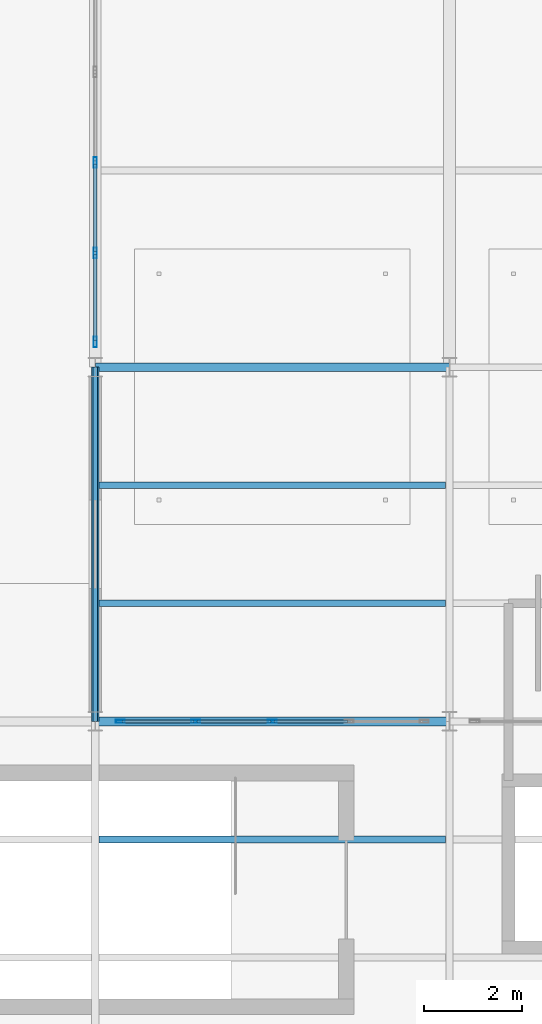
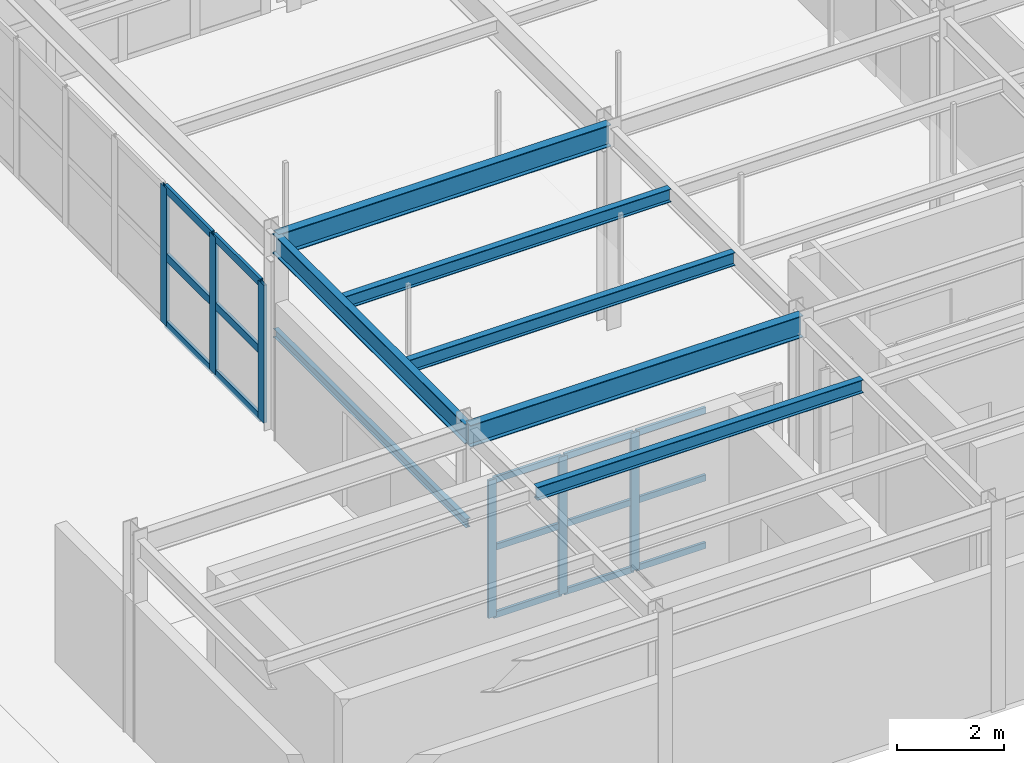
# One storey, part 12 of 41: 21 members, 7 beams, 2 elements without a shape of their own.
"""IFC4 building model written with IfcOpenShell, lengths in metres."""

from ifc_helpers import new_model, si_unit, direction, frame, origin, origin_2d, place, context, subcontext, project, spatial, hollow_rectangle, i_section, extrude, material, layer, layer_set, material_profile, profile_set, type_object, element, aggregate, save


model = new_model("IFC4")

# Units and contexts
model_context = context("Model", 3, precision=1e-05, world=origin(), true_north=direction((0.0, 1.0)))
body_context = subcontext(model_context, "Body", "Model", "MODEL_VIEW")
ifc_project = project(units=[si_unit("LENGTHUNIT", "METRE"), si_unit("AREAUNIT", "SQUARE_METRE"), si_unit("VOLUMEUNIT", "CUBIC_METRE"), si_unit("PLANEANGLEUNIT", "RADIAN"), si_unit("MASSUNIT", "GRAM", prefix="KILO")], contexts=[model_context])

# Site, building, storey
site_placement = place(None, origin())
site = spatial("IfcSite", under=ifc_project, at=site_placement, CompositionType="ELEMENT")
building_placement = place(site_placement, origin())
building = spatial("IfcBuilding", under=site, at=building_placement, Name="Solvadek Multi-Sports Hall", CompositionType="ELEMENT")
storey_placement = place(building_placement, frame((0.0, 0.0, 14.39990234375)))
storey = spatial("IfcBuildingStorey", under=building, at=storey_placement, Name="L03", CompositionType="ELEMENT", Elevation=14.39990234375)

# Curtain wall, members
ifc_material_1 = material(Name="Anodised aluminium", Category="aluminium")
ifc_layer_1 = layer(ifc_material_1, 0.159912109375, Name="Anodised aluminium")
ifc_layer_set_1 = layer_set([ifc_layer_1], Name="Anodised aluminium")
curtain_wall_type_1 = type_object("IfcCurtainWallType", Name="ENV-CW-624X315", PredefinedType="USERDEFINED", material=ifc_layer_set_1)
curtain_wall_1_placement = place(storey_placement, origin())
curtain_wall_1 = element("IfcCurtainWall", 1, at=curtain_wall_1_placement, inside=storey, type_object=curtain_wall_type_1, Name="L03 Perimeter Bay Curtain Wall #203", ObjectType="CURTAIN WALL", PredefinedType="USERDEFINED")
ifc_material_profile_1 = material_profile(ifc_material_1, hollow_rectangle(XDim=0.06005859375, YDim=0.179931640625, WallThickness=0.00390625, at=origin_2d()), Name="ALU-M 180x60x4")
ifc_profile_set_1 = profile_set([ifc_material_profile_1], Name="Anodised aluminium")
member_type_1 = type_object("IfcMemberType", Name="ENV-CWM-02", PredefinedType="MULLION", material=ifc_profile_set_1)
member_1_placement = place(storey_placement, frame((14.909912109375, 85.199951171875, 0.0), z_axis=(0.0, 0.0, 1.0), x_axis=(0.0, 1.0, 0.0)))
member_1 = element("IfcMember", 2, at=member_1_placement, type_object=member_type_1, Name="CW-44 mullion 1", PredefinedType="MULLION", context=body_context, shape_type="SweptSolid", body=[
    extrude(hollow_rectangle(XDim=0.06005859375, YDim=0.179931640625, WallThickness=0.00390625, at=origin_2d()), origin(), (0.0, 0.0, 1.0), 3.150146484375),
])
member_2_placement = place(storey_placement, frame((16.43994140625, 85.199951171875, 0.0), z_axis=(0.0, 0.0, 1.0), x_axis=(0.0, 1.0, 0.0)))
member_2 = element("IfcMember", 3, at=member_2_placement, type_object=member_type_1, Name="CW-44 mullion 2", PredefinedType="MULLION", context=body_context, shape_type="SweptSolid", body=[
    extrude(hollow_rectangle(XDim=0.06005859375, YDim=0.179931640625, WallThickness=0.00390625, at=origin_2d()), origin(), (0.0, 0.0, 1.0), 3.150146484375),
])
member_3_placement = place(storey_placement, frame((18.0, 85.199951171875, 0.0), z_axis=(0.0, 0.0, 1.0), x_axis=(0.0, 1.0, 0.0)))
member_3 = element("IfcMember", 4, at=member_3_placement, type_object=member_type_1, Name="CW-44 mullion 3", PredefinedType="MULLION", context=body_context, shape_type="SweptSolid", body=[
    extrude(hollow_rectangle(XDim=0.06005859375, YDim=0.179931640625, WallThickness=0.00390625, at=origin_2d()), origin(), (0.0, 0.0, 1.0), 3.150146484375),
])

ifc_layer_2 = layer(ifc_material_1, 0.159912109375, Name="Anodised aluminium")
ifc_layer_set_2 = layer_set([ifc_layer_2], Name="Anodised aluminium")
curtain_wall_type_2 = type_object("IfcCurtainWallType", Name="ENV-CW-1104X315", PredefinedType="USERDEFINED", material=ifc_layer_set_2)
curtain_wall_2_placement = place(storey_placement, origin())
curtain_wall_2 = element("IfcCurtainWall", 5, at=curtain_wall_2_placement, inside=storey, type_object=curtain_wall_type_2, Name="L03 Perimeter Bay Curtain Wall #209", ObjectType="CURTAIN WALL", PredefinedType="USERDEFINED")
ifc_material_profile_2 = material_profile(ifc_material_1, hollow_rectangle(XDim=0.06494140625, YDim=0.219970703125, WallThickness=0.0048828125, at=origin_2d()), Name="ALU-M 220x65x5")
ifc_profile_set_2 = profile_set([ifc_material_profile_2], Name="Anodised aluminium")
member_type_2 = type_object("IfcMemberType", Name="ENV-CWM-04", PredefinedType="MULLION", material=ifc_profile_set_2)
member_4_placement = place(storey_placement, frame((14.39990234375, 92.91259765625, 0.0), z_axis=(0.0, 0.0, 1.0), x_axis=(-1.0, 0.0, 0.0)))
member_4 = element("IfcMember", 6, at=member_4_placement, type_object=member_type_2, Name="CW-58 mullion 1", PredefinedType="MULLION", context=body_context, shape_type="SweptSolid", body=[
    extrude(hollow_rectangle(XDim=0.06494140625, YDim=0.219970703125, WallThickness=0.0048828125, at=origin_2d()), origin(), (0.0, 0.0, 1.0), 3.150146484375),
])
member_5_placement = place(storey_placement, frame((14.39990234375, 94.719970703125, 0.0), z_axis=(0.0, 0.0, 1.0), x_axis=(-1.0, 0.0, 0.0)))
member_5 = element("IfcMember", 7, at=member_5_placement, type_object=member_type_2, Name="CW-58 mullion 2", PredefinedType="MULLION", context=body_context, shape_type="SweptSolid", body=[
    extrude(hollow_rectangle(XDim=0.06494140625, YDim=0.219970703125, WallThickness=0.0048828125, at=origin_2d()), origin(), (0.0, 0.0, 1.0), 3.150146484375),
])
member_6_placement = place(storey_placement, frame((14.39990234375, 96.56005859375, 0.0), z_axis=(0.0, 0.0, 1.0), x_axis=(-1.0, 0.0, 0.0)))
member_6 = element("IfcMember", 8, at=member_6_placement, type_object=member_type_2, Name="CW-58 mullion 3", PredefinedType="MULLION", context=body_context, shape_type="SweptSolid", body=[
    extrude(hollow_rectangle(XDim=0.06494140625, YDim=0.219970703125, WallThickness=0.0048828125, at=origin_2d()), origin(), (0.0, 0.0, 1.0), 3.150146484375),
])

# Member
ifc_material_profile_3 = material_profile(ifc_material_1, hollow_rectangle(XDim=0.06005859375, YDim=0.139892578125, WallThickness=0.00390625, at=origin_2d()), Name="ALU-T 140x60x4")
ifc_profile_set_3 = profile_set([ifc_material_profile_3], Name="Anodised aluminium")
member_type_3 = type_object("IfcMemberType", Name="ENV-CWT-02", PredefinedType="USERDEFINED", material=ifc_profile_set_3)
member_7_placement = place(storey_placement, frame((14.93994140625, 85.199951171875, 0.030029296875), z_axis=(1.0, 0.0, 0.0), x_axis=(0.0, 1.0, 0.0)))
member_7 = element("IfcMember", 9, at=member_7_placement, type_object=member_type_3, Name="CW-44 transom 1.1", ObjectType="TRANSOM", PredefinedType="USERDEFINED", context=body_context, shape_type="SweptSolid", body=[
    extrude(hollow_rectangle(XDim=0.06005859375, YDim=0.139892578125, WallThickness=0.00390625, at=origin_2d()), origin(), (0.0, 0.0, 1.0), 1.469970703125),
])

member_8_placement = place(storey_placement, frame((14.93994140625, 85.199951171875, 1.5751953125), z_axis=(1.0, 0.0, 0.0), x_axis=(0.0, 1.0, 0.0)))
member_8 = element("IfcMember", 10, at=member_8_placement, type_object=member_type_3, Name="CW-44 transom 1.2", ObjectType="TRANSOM", PredefinedType="USERDEFINED", context=body_context, shape_type="SweptSolid", body=[
    extrude(hollow_rectangle(XDim=0.06005859375, YDim=0.139892578125, WallThickness=0.00390625, at=origin_2d()), origin(), (0.0, 0.0, 1.0), 1.469970703125),
])

member_9_placement = place(storey_placement, frame((14.93994140625, 85.199951171875, 3.1201171875), z_axis=(1.0, 0.0, 0.0), x_axis=(0.0, 1.0, 0.0)))
member_9 = element("IfcMember", 11, at=member_9_placement, type_object=member_type_3, Name="CW-44 transom 1.3", ObjectType="TRANSOM", PredefinedType="USERDEFINED", context=body_context, shape_type="SweptSolid", body=[
    extrude(hollow_rectangle(XDim=0.06005859375, YDim=0.139892578125, WallThickness=0.00390625, at=origin_2d()), origin(), (0.0, 0.0, 1.0), 1.469970703125),
])

member_10_placement = place(storey_placement, frame((16.469970703125, 85.199951171875, 0.030029296875), z_axis=(1.0, 0.0, 0.0), x_axis=(0.0, 1.0, 0.0)))
member_10 = element("IfcMember", 12, at=member_10_placement, type_object=member_type_3, Name="CW-44 transom 2.1", ObjectType="TRANSOM", PredefinedType="USERDEFINED", context=body_context, shape_type="SweptSolid", body=[
    extrude(hollow_rectangle(XDim=0.06005859375, YDim=0.139892578125, WallThickness=0.00390625, at=origin_2d()), origin(), (0.0, 0.0, 1.0), 1.5),
])

member_11_placement = place(storey_placement, frame((16.469970703125, 85.199951171875, 1.5751953125), z_axis=(1.0, 0.0, 0.0), x_axis=(0.0, 1.0, 0.0)))
member_11 = element("IfcMember", 13, at=member_11_placement, type_object=member_type_3, Name="CW-44 transom 2.2", ObjectType="TRANSOM", PredefinedType="USERDEFINED", context=body_context, shape_type="SweptSolid", body=[
    extrude(hollow_rectangle(XDim=0.06005859375, YDim=0.139892578125, WallThickness=0.00390625, at=origin_2d()), origin(), (0.0, 0.0, 1.0), 1.5),
])

member_12_placement = place(storey_placement, frame((16.469970703125, 85.199951171875, 3.1201171875), z_axis=(1.0, 0.0, 0.0), x_axis=(0.0, 1.0, 0.0)))
member_12 = element("IfcMember", 14, at=member_12_placement, type_object=member_type_3, Name="CW-44 transom 2.3", ObjectType="TRANSOM", PredefinedType="USERDEFINED", context=body_context, shape_type="SweptSolid", body=[
    extrude(hollow_rectangle(XDim=0.06005859375, YDim=0.139892578125, WallThickness=0.00390625, at=origin_2d()), origin(), (0.0, 0.0, 1.0), 1.5),
])

member_13_placement = place(storey_placement, frame((18.030029296875, 85.199951171875, 0.030029296875), z_axis=(1.0, 0.0, 0.0), x_axis=(0.0, 1.0, 0.0)))
member_13 = element("IfcMember", 15, at=member_13_placement, type_object=member_type_3, Name="CW-44 transom 3.1", ObjectType="TRANSOM", PredefinedType="USERDEFINED", context=body_context, shape_type="SweptSolid", body=[
    extrude(hollow_rectangle(XDim=0.06005859375, YDim=0.139892578125, WallThickness=0.00390625, at=origin_2d()), origin(), (0.0, 0.0, 1.0), 1.5),
])

member_14_placement = place(storey_placement, frame((18.030029296875, 85.199951171875, 1.5751953125), z_axis=(1.0, 0.0, 0.0), x_axis=(0.0, 1.0, 0.0)))
member_14 = element("IfcMember", 16, at=member_14_placement, type_object=member_type_3, Name="CW-44 transom 3.2", ObjectType="TRANSOM", PredefinedType="USERDEFINED", context=body_context, shape_type="SweptSolid", body=[
    extrude(hollow_rectangle(XDim=0.06005859375, YDim=0.139892578125, WallThickness=0.00390625, at=origin_2d()), origin(), (0.0, 0.0, 1.0), 1.5),
])

member_15_placement = place(storey_placement, frame((18.030029296875, 85.199951171875, 3.1201171875), z_axis=(1.0, 0.0, 0.0), x_axis=(0.0, 1.0, 0.0)))
member_15 = element("IfcMember", 17, at=member_15_placement, type_object=member_type_3, Name="CW-44 transom 3.3", ObjectType="TRANSOM", PredefinedType="USERDEFINED", context=body_context, shape_type="SweptSolid", body=[
    extrude(hollow_rectangle(XDim=0.06005859375, YDim=0.139892578125, WallThickness=0.00390625, at=origin_2d()), origin(), (0.0, 0.0, 1.0), 1.5),
])

aggregate(curtain_wall_1, [member_1, member_2, member_3, member_7, member_8, member_9, member_10, member_11, member_12, member_13, member_14, member_15])

ifc_material_profile_4 = material_profile(ifc_material_1, hollow_rectangle(XDim=0.06494140625, YDim=0.179931640625, WallThickness=0.0048828125, at=origin_2d()), Name="ALU-T 180x65x5")
ifc_profile_set_4 = profile_set([ifc_material_profile_4], Name="Anodised aluminium")
member_type_4 = type_object("IfcMemberType", Name="ENV-CWT-04", PredefinedType="USERDEFINED", material=ifc_profile_set_4)
member_16_placement = place(storey_placement, frame((14.39990234375, 92.945068359375, 0.03271484375), z_axis=(0.0, 1.0, 0.0), x_axis=(-1.0, 0.0, 0.0)))
member_16 = element("IfcMember", 18, at=member_16_placement, type_object=member_type_4, Name="CW-58 transom 1.1", ObjectType="TRANSOM", PredefinedType="USERDEFINED", context=body_context, shape_type="SweptSolid", body=[
    extrude(hollow_rectangle(XDim=0.06494140625, YDim=0.179931640625, WallThickness=0.0048828125, at=origin_2d()), origin(), (0.0, 0.0, 1.0), 1.742431640625),
])

member_17_placement = place(storey_placement, frame((14.39990234375, 92.945068359375, 1.5751953125), z_axis=(0.0, 1.0, 0.0), x_axis=(-1.0, 0.0, 0.0)))
member_17 = element("IfcMember", 19, at=member_17_placement, type_object=member_type_4, Name="CW-58 transom 1.2", ObjectType="TRANSOM", PredefinedType="USERDEFINED", context=body_context, shape_type="SweptSolid", body=[
    extrude(hollow_rectangle(XDim=0.06494140625, YDim=0.179931640625, WallThickness=0.0048828125, at=origin_2d()), origin(), (0.0, 0.0, 1.0), 1.742431640625),
])

member_18_placement = place(storey_placement, frame((14.39990234375, 92.945068359375, 3.11767578125), z_axis=(0.0, 1.0, 0.0), x_axis=(-1.0, 0.0, 0.0)))
member_18 = element("IfcMember", 20, at=member_18_placement, type_object=member_type_4, Name="CW-58 transom 1.3", ObjectType="TRANSOM", PredefinedType="USERDEFINED", context=body_context, shape_type="SweptSolid", body=[
    extrude(hollow_rectangle(XDim=0.06494140625, YDim=0.179931640625, WallThickness=0.0048828125, at=origin_2d()), origin(), (0.0, 0.0, 1.0), 1.742431640625),
])

member_19_placement = place(storey_placement, frame((14.39990234375, 94.75244140625, 0.03271484375), z_axis=(0.0, 1.0, 0.0), x_axis=(-1.0, 0.0, 0.0)))
member_19 = element("IfcMember", 21, at=member_19_placement, type_object=member_type_4, Name="CW-58 transom 2.1", ObjectType="TRANSOM", PredefinedType="USERDEFINED", context=body_context, shape_type="SweptSolid", body=[
    extrude(hollow_rectangle(XDim=0.06494140625, YDim=0.179931640625, WallThickness=0.0048828125, at=origin_2d()), origin(), (0.0, 0.0, 1.0), 1.775146484375),
])

member_20_placement = place(storey_placement, frame((14.39990234375, 94.75244140625, 1.5751953125), z_axis=(0.0, 1.0, 0.0), x_axis=(-1.0, 0.0, 0.0)))
member_20 = element("IfcMember", 22, at=member_20_placement, type_object=member_type_4, Name="CW-58 transom 2.2", ObjectType="TRANSOM", PredefinedType="USERDEFINED", context=body_context, shape_type="SweptSolid", body=[
    extrude(hollow_rectangle(XDim=0.06494140625, YDim=0.179931640625, WallThickness=0.0048828125, at=origin_2d()), origin(), (0.0, 0.0, 1.0), 1.775146484375),
])

member_21_placement = place(storey_placement, frame((14.39990234375, 94.75244140625, 3.11767578125), z_axis=(0.0, 1.0, 0.0), x_axis=(-1.0, 0.0, 0.0)))
member_21 = element("IfcMember", 23, at=member_21_placement, type_object=member_type_4, Name="CW-58 transom 2.3", ObjectType="TRANSOM", PredefinedType="USERDEFINED", context=body_context, shape_type="SweptSolid", body=[
    extrude(hollow_rectangle(XDim=0.06494140625, YDim=0.179931640625, WallThickness=0.0048828125, at=origin_2d()), origin(), (0.0, 0.0, 1.0), 1.775146484375),
])

aggregate(curtain_wall_2, [member_4, member_5, member_6, member_16, member_17, member_18, member_19, member_20, member_21])

# Beams
ifc_material_2 = material(Name="Steel E350 (350 MPa)", Category="steel")
ifc_material_profile_5 = material_profile(ifc_material_2, i_section(OverallWidth=0.14990234375, OverallDepth=0.449951171875, WebThickness=0.009521484375, FlangeThickness=0.017333984375, at=origin_2d()), Name="ISMB 450")
ifc_profile_set_5 = profile_set([ifc_material_profile_5], Name="Steel E350 (350 MPa)")
beam_type_1 = type_object("IfcBeamType", Name="STR-BM-ISMB450", PredefinedType="BEAM", material=ifc_profile_set_5)
beam_1_placement = place(storey_placement, frame((14.39990234375, 85.199951171875, 4.375), z_axis=(0.0, 1.0, 0.0), x_axis=(-1.0, 0.0, 0.0)))
element("IfcBeam", 24, at=beam_1_placement, inside=storey, type_object=beam_type_1, Name="L03 Girder B-09 #1656", PredefinedType="BEAM", context=body_context, shape_type="SweptSolid", body=[
    extrude(i_section(OverallWidth=0.14990234375, OverallDepth=0.449951171875, WebThickness=0.009521484375, FlangeThickness=0.017333984375, at=origin_2d()), origin(), (0.0, 0.0, 1.0), 7.199951171875),
])
ifc_material_profile_6 = material_profile(ifc_material_2, i_section(OverallWidth=0.179931640625, OverallDepth=0.5, WebThickness=0.01025390625, FlangeThickness=0.01708984375, at=origin_2d()), Name="ISMB 500")
ifc_profile_set_6 = profile_set([ifc_material_profile_6], Name="Steel E350 (350 MPa)")
beam_type_2 = type_object("IfcBeamType", Name="STR-BM-ISMB500", PredefinedType="BEAM", material=ifc_profile_set_6)
for number, where, z_axis, x_axis, name in (
    (25, (14.39990234375, 85.199951171875, 4.35009765625), (1.0, 0.0, 0.0), (0.0, 1.0, 0.0), "L03 Girder B-07 #1630"),
    (26, (14.39990234375, 92.39990234375, 4.35009765625), (1.0, 0.0, 0.0), (0.0, 1.0, 0.0), "L03 Girder B-07 #1636"),
):
    element("IfcBeam", number, at=place(storey_placement, frame(where, z_axis=z_axis, x_axis=x_axis)), inside=storey, type_object=beam_type_2, Name=name, PredefinedType="BEAM", context=body_context, shape_type="SweptSolid", body=[
        extrude(i_section(OverallWidth=0.179931640625, OverallDepth=0.5, WebThickness=0.01025390625, FlangeThickness=0.01708984375, at=origin_2d()), origin(), (0.0, 0.0, 1.0), 7.2001953125),
    ])
ifc_material_profile_7 = material_profile(ifc_material_2, i_section(OverallWidth=0.139892578125, OverallDepth=0.300048828125, WebThickness=0.0078125, FlangeThickness=0.01318359375, at=origin_2d()), Name="ISMB 300")
ifc_profile_set_7 = profile_set([ifc_material_profile_7], Name="Steel E350 (350 MPa)")
beam_type_3 = type_object("IfcBeamType", Name="STR-JST-ISMB300", PredefinedType="JOIST", material=ifc_profile_set_7)
for number, where, z_axis, x_axis, name in (
    (27, (14.47509765625, 82.800048828125, 4.4501953125), (1.0, 0.0, 0.0), (0.0, 1.0, 0.0), "L03 Composite Joist J-03 #919"),
    (28, (14.47509765625, 87.60009765625, 4.4501953125), (1.0, 0.0, 0.0), (0.0, 1.0, 0.0), "L03 Composite Joist J-03 #922"),
    (29, (14.47509765625, 90.0, 4.4501953125), (1.0, 0.0, 0.0), (0.0, 1.0, 0.0), "L03 Composite Joist J-03 #923"),
):
    element("IfcBeam", number, at=place(storey_placement, frame(where, z_axis=z_axis, x_axis=x_axis)), inside=storey, type_object=beam_type_3, Name=name, PredefinedType="JOIST", context=body_context, shape_type="SweptSolid", body=[
        extrude(i_section(OverallWidth=0.139892578125, OverallDepth=0.300048828125, WebThickness=0.0078125, FlangeThickness=0.01318359375, at=origin_2d()), origin(), (0.0, 0.0, 1.0), 7.0498046875),
    ])
ifc_material_3 = material(Name="Steel E250 (250 MPa)", Category="steel")
ifc_material_profile_8 = material_profile(ifc_material_3, i_section(OverallWidth=0.10009765625, OverallDepth=0.199951171875, WebThickness=0.005615234375, FlangeThickness=0.0107421875, at=origin_2d()), Name="ISMB 200")
ifc_profile_set_8 = profile_set([ifc_material_profile_8], Name="Steel E250 (250 MPa)")
beam_type_4 = type_object("IfcBeamType", Name="STR-LIN-ISMB200", PredefinedType="LINTEL", material=ifc_profile_set_8)
beam_2_placement = place(storey_placement, frame((14.39990234375, 85.199951171875, 2.320068359375), z_axis=(0.0, 1.0, 0.0), x_axis=(-1.0, 0.0, 0.0)))
element("IfcBeam", 30, at=beam_2_placement, inside=storey, type_object=beam_type_4, Name="L03 Opening Lintel #30", PredefinedType="LINTEL", context=body_context, shape_type="SweptSolid", body=[
    extrude(i_section(OverallWidth=0.10009765625, OverallDepth=0.199951171875, WebThickness=0.005615234375, FlangeThickness=0.0107421875, at=origin_2d()), origin(), (0.0, 0.0, 1.0), 7.199951171875),
])

save(model, "model.ifc")
